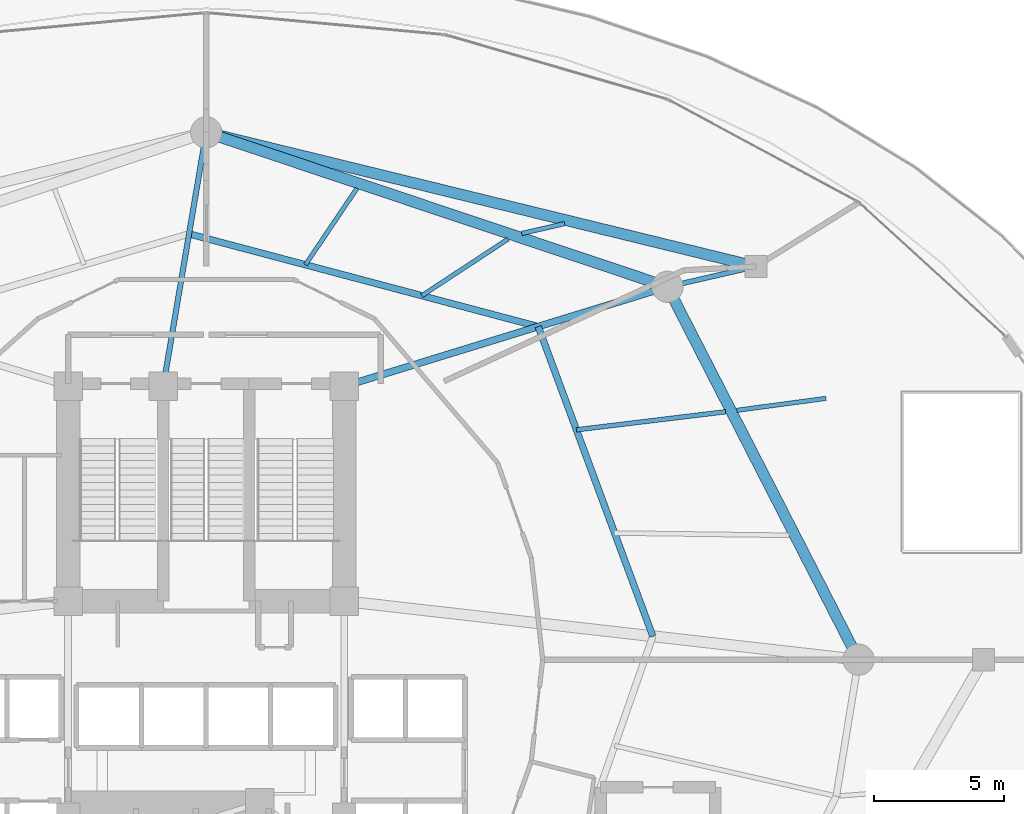
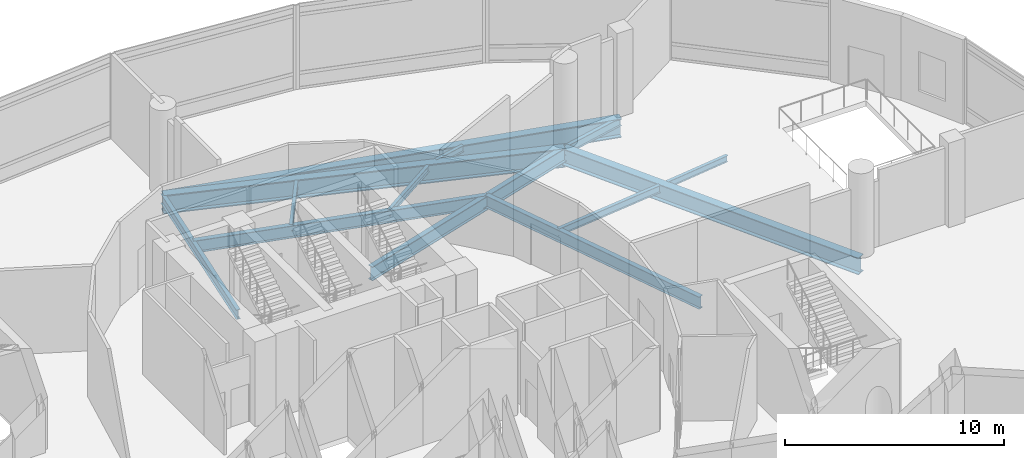
# One storey, part 19 of 36: 13 beams.
"""IFC4 building model written with IfcOpenShell, lengths in metres."""

from ifc_helpers import new_model, si_unit, direction, frame, origin, origin_2d, place, context, subcontext, project, spatial, i_section, extrude, material, material_profile, profile_set, type_object, element, save


model = new_model("IFC4")

# Units and contexts
model_context = context("Model", 3, precision=1e-05, world=origin(), true_north=direction((0.0, 1.0)))
body_context = subcontext(model_context, "Body", "Model", "MODEL_VIEW")
ifc_project = project(units=[si_unit("LENGTHUNIT", "METRE"), si_unit("AREAUNIT", "SQUARE_METRE"), si_unit("VOLUMEUNIT", "CUBIC_METRE"), si_unit("PLANEANGLEUNIT", "RADIAN"), si_unit("MASSUNIT", "GRAM", prefix="KILO")], contexts=[model_context])

# Site, building, storey
site_placement = place(None, origin())
site = spatial("IfcSite", under=ifc_project, at=site_placement, CompositionType="ELEMENT")
building_placement = place(site_placement, origin())
building = spatial("IfcBuilding", under=site, at=building_placement, Name="Nuhasar Tower", CompositionType="ELEMENT")
storey_placement = place(building_placement, frame((0.0, 0.0, 11.0)))
storey = spatial("IfcBuildingStorey", under=building, at=storey_placement, Name="L02", CompositionType="ELEMENT", Elevation=11.0)

# Beams
ifc_material_1 = material(Name="Steel S355", Category="steel")
ifc_material_profile_1 = material_profile(ifc_material_1, i_section(OverallWidth=0.25390625, OverallDepth=0.68408203125, WebThickness=0.012451171875, FlangeThickness=0.018798828125, at=origin_2d()), Name="W27X94")
ifc_profile_set_1 = profile_set([ifc_material_profile_1], Name="Steel S355")
beam_type_1 = type_object("IfcBeamType", Name="BM-INRING-W27X94", PredefinedType="BEAM", material=ifc_profile_set_1)
beam_1_placement = place(storey_placement, frame((56.14990234375, 27.699951171875, -0.64208984375), z_axis=(-0.34715757476, 0.937806812881, 0.0), x_axis=(-0.937806812881, -0.34715757476, 0.0)))
element("IfcBeam", 1, at=beam_1_placement, inside=storey, type_object=beam_type_1, Name="L02 Inner Header Beam 04", PredefinedType="BEAM", context=body_context, shape_type="SweptSolid", body=[
    extrude(i_section(OverallWidth=0.25390625, OverallDepth=0.68408203125, WebThickness=0.012451171875, FlangeThickness=0.018798828125, at=origin_2d()), origin(), (0.0, 0.0, 1.0), 12.6796875),
])
beam_2_placement = place(storey_placement, frame((51.748046875, 39.591064453125, -0.64208984375), z_axis=(-0.96653253005, 0.256544086574, 0.0), x_axis=(-0.256544086574, -0.96653253005, 0.0)))
element("IfcBeam", 2, at=beam_2_placement, inside=storey, type_object=beam_type_1, Name="L02 Inner Header Beam 05", PredefinedType="BEAM", context=body_context, shape_type="SweptSolid", body=[
    extrude(i_section(OverallWidth=0.25390625, OverallDepth=0.68408203125, WebThickness=0.012451171875, FlangeThickness=0.018798828125, at=origin_2d()), origin(), (0.0, 0.0, 1.0), 13.872314453125),
])
ifc_material_profile_2 = material_profile(ifc_material_1, i_section(OverallWidth=0.1708984375, OverallDepth=0.35205078125, WebThickness=0.0068359375, FlangeThickness=0.009765625, at=origin_2d()), Name="W14X30")
ifc_profile_set_2 = profile_set([ifc_material_profile_2], Name="Steel S355")
beam_type_2 = type_object("IfcBeamType", Name="BM-JST-W14X30", PredefinedType="JOIST", material=ifc_profile_set_2)
beam_3_placement = place(storey_placement, frame((47.279052734375, 40.777099609375, -0.47607421875), z_axis=(0.835823449521, 0.548998325345, 0.0), x_axis=(-0.548998325345, 0.835823449521, 0.0)))
element("IfcBeam", 3, at=beam_3_placement, inside=storey, type_object=beam_type_2, Name="L02 Secondary Floor Joist 09", PredefinedType="JOIST", context=body_context, shape_type="SweptSolid", body=[
    extrude(i_section(OverallWidth=0.1708984375, OverallDepth=0.35205078125, WebThickness=0.0068359375, FlangeThickness=0.009765625, at=origin_2d()), origin(), (0.0, 0.0, 1.0), 3.96142578125),
])
beam_4_placement = place(storey_placement, frame((42.80908203125, 41.964111328125, -0.47607421875), z_axis=(0.558852429743, 0.82926712329, 0.0), x_axis=(-0.82926712329, 0.558852429743, 0.0)))
element("IfcBeam", 4, at=beam_4_placement, inside=storey, type_object=beam_type_2, Name="L02 Secondary Floor Joist 10", PredefinedType="JOIST", context=body_context, shape_type="SweptSolid", body=[
    extrude(i_section(OverallWidth=0.1708984375, OverallDepth=0.35205078125, WebThickness=0.0068359375, FlangeThickness=0.009765625, at=origin_2d()), origin(), (0.0, 0.0, 1.0), 3.535400390625),
])
beam_5_placement = place(storey_placement, frame((59.375, 36.375, -0.47607421875), z_axis=(0.991102825543, 0.133098419226, 0.0), x_axis=(-0.133098419226, 0.991102825543, 0.0)))
element("IfcBeam", 5, at=beam_5_placement, inside=storey, type_object=beam_type_2, Name="L02 Podium Secondary Joist 08", PredefinedType="JOIST", context=body_context, shape_type="SweptSolid", body=[
    extrude(i_section(OverallWidth=0.1708984375, OverallDepth=0.35205078125, WebThickness=0.0068359375, FlangeThickness=0.009765625, at=origin_2d()), origin(), (0.0, 0.0, 1.0), 3.455810546875),
])
beam_6_placement = place(storey_placement, frame((51.117919921875, 43.1669921875, -0.47607421875), z_axis=(0.974707362728, 0.223485026441, 0.0), x_axis=(-0.223485026441, 0.974707362728, 0.0)))
element("IfcBeam", 6, at=beam_6_placement, inside=storey, type_object=beam_type_2, Name="L02 Podium Secondary Joist 09", PredefinedType="JOIST", context=body_context, shape_type="SweptSolid", body=[
    extrude(i_section(OverallWidth=0.1708984375, OverallDepth=0.35205078125, WebThickness=0.0068359375, FlangeThickness=0.009765625, at=origin_2d()), origin(), (0.0, 0.0, 1.0), 1.686767578125),
])
ifc_material_profile_3 = material_profile(ifc_material_1, i_section(OverallWidth=0.177978515625, OverallDepth=0.406005859375, WebThickness=0.0078125, FlangeThickness=0.0126953125, at=origin_2d()), Name="W16X40")
ifc_profile_set_3 = profile_set([ifc_material_profile_3], Name="Steel S355")
beam_type_3 = type_object("IfcBeamType", Name="BM-JST-W16X40", PredefinedType="JOIST", material=ifc_profile_set_3)
beam_7_placement = place(storey_placement, frame((53.215087890625, 35.626953125, -0.5029296875), z_axis=(0.992752923061, 0.120173348764, 0.0), x_axis=(-0.120173348764, 0.992752923061, 0.0)))
element("IfcBeam", 7, at=beam_7_placement, inside=storey, type_object=beam_type_3, Name="L02 Secondary Floor Joist 08", PredefinedType="JOIST", context=body_context, shape_type="SweptSolid", body=[
    extrude(i_section(OverallWidth=0.177978515625, OverallDepth=0.406005859375, WebThickness=0.0078125, FlangeThickness=0.0126953125, at=origin_2d()), origin(), (0.0, 0.0, 1.0), 5.767578125),
])
ifc_material_profile_4 = material_profile(ifc_material_1, i_section(OverallWidth=0.419921875, OverallDepth=0.931884765625, WebThickness=0.021240234375, FlangeThickness=0.03662109375, at=origin_2d()), Name="W36X262")
ifc_profile_set_4 = profile_set([ifc_material_profile_4], Name="Steel S355")
beam_type_4 = type_object("IfcBeamType", Name="BM-POD-W36X262", PredefinedType="BEAM", material=ifc_profile_set_4)
beam_8_placement = place(storey_placement, frame((64.050048828125, 26.800048828125, -0.76611328125), z_axis=(-0.456029199343, 0.889964813544, 0.0), x_axis=(-0.889964813544, -0.456029199343, 0.0)))
element("IfcBeam", 8, at=beam_8_placement, inside=storey, type_object=beam_type_4, Name="L02 Mega-Column Ring Girder 04", PredefinedType="BEAM", context=body_context, shape_type="SweptSolid", body=[
    extrude(i_section(OverallWidth=0.419921875, OverallDepth=0.931884765625, WebThickness=0.021240234375, FlangeThickness=0.03662109375, at=origin_2d()), origin(), (0.0, 0.0, 1.0), 16.089111328125),
])
ifc_material_profile_5 = material_profile(ifc_material_1, i_section(OverallWidth=0.18994140625, OverallDepth=0.45703125, WebThickness=0.009033203125, FlangeThickness=0.014404296875, at=origin_2d()), Name="W18X50")
ifc_profile_set_5 = profile_set([ifc_material_profile_5], Name="Steel S355")
beam_type_5 = type_object("IfcBeamType", Name="BM-RAD-W18X50", PredefinedType="BEAM", material=ifc_profile_set_5)
beam_9_placement = place(storey_placement, frame((56.712890625, 41.118896484375, -0.529052734375), z_axis=(0.974715141502, 0.223451097394, 0.0), x_axis=(-0.223451097394, 0.974715141502, 0.0)))
element("IfcBeam", 9, at=beam_9_placement, inside=storey, type_object=beam_type_5, Name="L02 Podium Radial Girder 05", PredefinedType="BEAM", context=body_context, shape_type="SweptSolid", body=[
    extrude(i_section(OverallWidth=0.18994140625, OverallDepth=0.45703125, WebThickness=0.009033203125, FlangeThickness=0.014404296875, at=origin_2d()), origin(), (0.0, 0.0, 1.0), 3.482177734375),
])
ifc_material_profile_6 = material_profile(ifc_material_1, i_section(OverallWidth=0.208984375, OverallDepth=0.532958984375, WebThickness=0.01025390625, FlangeThickness=0.015625, at=origin_2d()), Name="W21X62")
ifc_profile_set_6 = profile_set([ifc_material_profile_6], Name="Steel S355")
beam_type_6 = type_object("IfcBeamType", Name="BM-RAD-W21X62", PredefinedType="BEAM", material=ifc_profile_set_6)
beam_10_placement = place(storey_placement, frame((37.35009765625, 37.300048828125, -0.56689453125), z_axis=(0.166848703013, 0.98598251014, 0.0), x_axis=(-0.98598251014, 0.166848703013, 0.0)))
element("IfcBeam", 10, at=beam_10_placement, inside=storey, type_object=beam_type_6, Name="L02 Radial Floor Girder 06", PredefinedType="BEAM", context=body_context, shape_type="SweptSolid", body=[
    extrude(i_section(OverallWidth=0.208984375, OverallDepth=0.532958984375, WebThickness=0.01025390625, FlangeThickness=0.015625, at=origin_2d()), origin(), (0.0, 0.0, 1.0), 9.888671875),
])
ifc_material_profile_7 = material_profile(ifc_material_1, i_section(OverallWidth=0.26611328125, OverallDepth=0.779052734375, WebThickness=0.0166015625, FlangeThickness=0.030029296875, at=origin_2d()), Name="W30X148")
ifc_profile_set_7 = profile_set([ifc_material_profile_7], Name="Steel S355")
beam_type_7 = type_object("IfcBeamType", Name="BM-RAD-W30X148", PredefinedType="BEAM", material=ifc_profile_set_7)
beam_11_placement = place(storey_placement, frame((44.300048828125, 37.300048828125, -0.68994140625), z_axis=(0.955789576103, 0.294051502653, 0.0), x_axis=(-0.294051502653, 0.955789576103, 0.0)))
element("IfcBeam", 11, at=beam_11_placement, inside=storey, type_object=beam_type_7, Name="L02 Radial Floor Girder 05", PredefinedType="BEAM", context=body_context, shape_type="SweptSolid", body=[
    extrude(i_section(OverallWidth=0.26611328125, OverallDepth=0.779052734375, WebThickness=0.0166015625, FlangeThickness=0.030029296875, at=origin_2d()), origin(), (0.0, 0.0, 1.0), 12.987060546875),
])
ifc_material_2 = material(Name="Steel S460", Category="steel")
ifc_material_profile_8 = material_profile(ifc_material_2, i_section(OverallWidth=0.419921875, OverallDepth=1.0400390625, WebThickness=0.031005859375, FlangeThickness=0.055908203125, at=origin_2d()), Name="W40X397")
ifc_profile_set_8 = profile_set([ifc_material_profile_8], Name="Steel S460")
beam_type_8 = type_object("IfcBeamType", Name="BM-XFER-W40X397", PredefinedType="USERDEFINED", material=ifc_profile_set_8)
beam_12_placement = place(storey_placement, frame((56.712890625, 41.118896484375, -0.820068359375), z_axis=(-0.948251107254, 0.317521397062, 0.0), x_axis=(-0.317521397062, -0.948251107254, 0.0)))
element("IfcBeam", 12, at=beam_12_placement, inside=storey, type_object=beam_type_8, Name="L02 Mega-Column Ring Girder 05", ObjectType="GIRDER", PredefinedType="USERDEFINED", context=body_context, shape_type="SweptSolid", body=[
    extrude(i_section(OverallWidth=0.419921875, OverallDepth=1.0400390625, WebThickness=0.031005859375, FlangeThickness=0.055908203125, at=origin_2d()), origin(), (0.0, 0.0, 1.0), 18.679443359375),
])
beam_13_placement = place(storey_placement, frame((60.10693359375, 41.89697265625, -0.820068359375), z_axis=(-0.971466874575, 0.23717527612, 0.0), x_axis=(-0.23717527612, -0.971466874575, 0.0)))
element("IfcBeam", 13, at=beam_13_placement, inside=storey, type_object=beam_type_8, Name="L02 Podium Ring Girder 05", ObjectType="GIRDER", PredefinedType="USERDEFINED", context=body_context, shape_type="SweptSolid", body=[
    extrude(i_section(OverallWidth=0.419921875, OverallDepth=1.0400390625, WebThickness=0.031005859375, FlangeThickness=0.055908203125, at=origin_2d()), origin(), (0.0, 0.0, 1.0), 21.726806640625),
])

save(model, "model.ifc")
